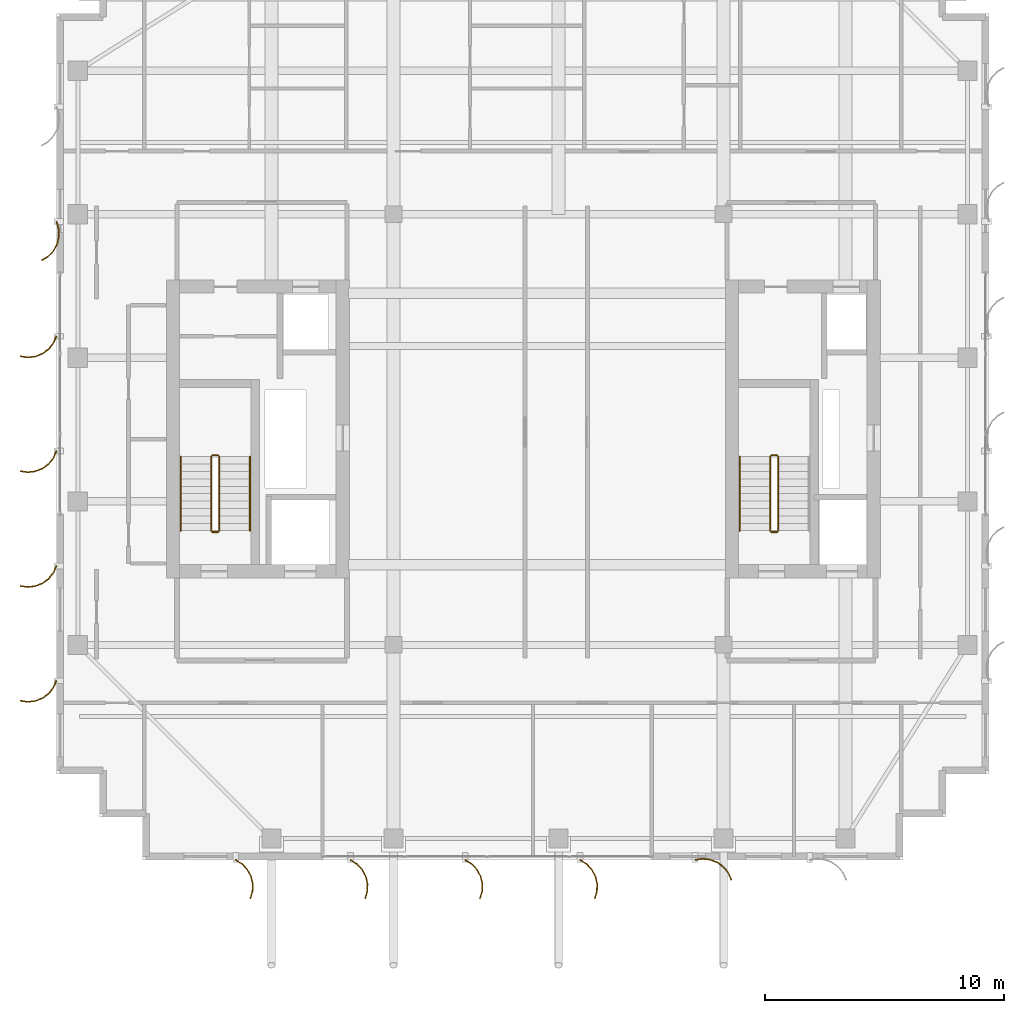
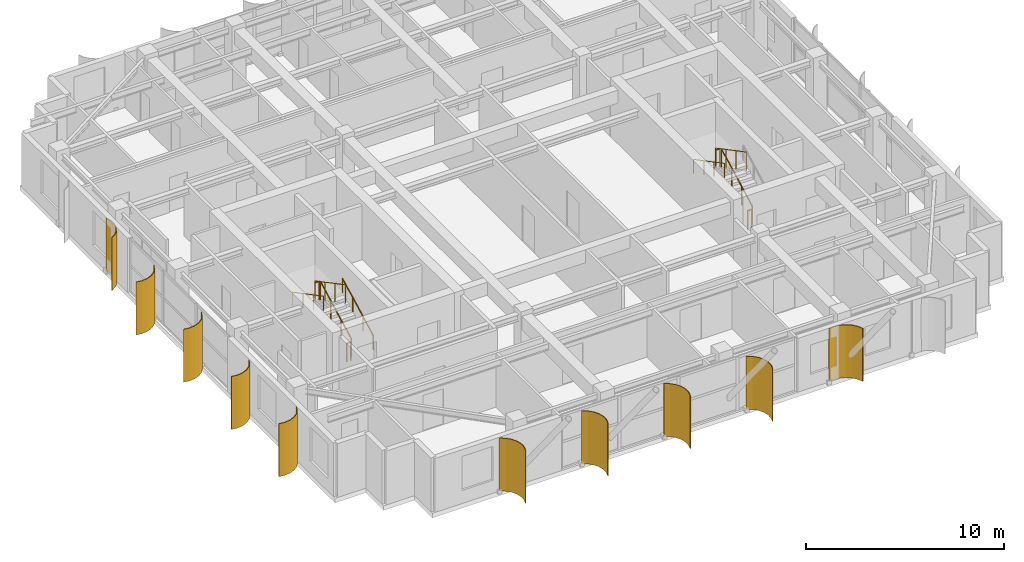
# One storey, part 21 of 22: 11 railings, 10 shading devices.
"""IFC4 building model written with IfcOpenShell, lengths in metres."""

from ifc_helpers import new_model, si_unit, direction, frame, origin, origin_2d, place, context, subcontext, project, spatial, polyline, circle, outline, extrude, source, transform, mapped, material, layer, layer_set, type_object, element, save


model = new_model("IFC4")

# Units and contexts
model_context = context("Model", 3, precision=1e-05, world=origin(), true_north=direction((0.0, 1.0)))
body_context = subcontext(model_context, "Body", "Model", "MODEL_VIEW")
ifc_project = project(units=[si_unit("LENGTHUNIT", "METRE"), si_unit("AREAUNIT", "SQUARE_METRE"), si_unit("VOLUMEUNIT", "CUBIC_METRE"), si_unit("PLANEANGLEUNIT", "RADIAN"), si_unit("MASSUNIT", "GRAM", prefix="KILO")], contexts=[model_context])

# Site, building, storey
site_placement = place(None, origin())
site = spatial("IfcSite", under=ifc_project, at=site_placement, CompositionType="ELEMENT")
building_placement = place(site_placement, origin())
building = spatial("IfcBuilding", under=site, at=building_placement, Name="Khoralis Quay Care Tower", CompositionType="ELEMENT")
storey_placement = place(building_placement, frame((0.0, 0.0, 278.10009765625)))
storey = spatial("IfcBuildingStorey", under=building, at=storey_placement, Name="L73", CompositionType="ELEMENT", Elevation=278.10009765625)

# Railings
ifc_material_1 = material(Name="Brushed stainless steel", Category="steel")
railing_type_1 = type_object("IfcRailingType", Name="RL-GUARD-1150", PredefinedType="GUARDRAIL", material=ifc_material_1)
railing_1_placement = place(storey_placement, frame((9.820068359375, 16.77001953125, 0.16357421875)))
element("IfcRailing", 1, at=railing_1_placement, inside=storey, type_object=railing_type_1, Name="L73 ST-T1 stair guard 1", PredefinedType="GUARDRAIL", context=body_context, shape_type="SweptSolid", body=[
    extrude(circle(Radius=0.02392578125, at=origin_2d()), frame((0.0, 0.0, 1.1259765625), z_axis=(0.0, 0.884376766648, 0.46677375099), x_axis=(-1.0, 0.0, 0.0)), (0.0, 0.0, 1.0), 3.50537109375),
    extrude(circle(Radius=0.02099609375, at=origin_2d()), origin(), (0.0, 0.0, 1.0), 1.101806640625),
    extrude(circle(Radius=0.02099609375, at=origin_2d()), frame((0.0, 1.033447265625, 0.54541015625)), (0.0, 0.0, 1.0), 1.101806640625),
    extrude(circle(Radius=0.02099609375, at=origin_2d()), frame((0.0, 2.066650390625, 1.0908203125)), (0.0, 0.0, 1.0), 1.101806640625),
    extrude(circle(Radius=0.02099609375, at=origin_2d()), frame((0.0, 3.10009765625, 1.63623046875)), (0.0, 0.0, 1.0), 1.101806640625),
])
railing_2_placement = place(storey_placement, frame((9.77001953125, 19.919921875, 1.7998046875)))
element("IfcRailing", 2, at=railing_2_placement, inside=storey, type_object=railing_type_1, Name="L73 ST-T1 stair guard 2", PredefinedType="GUARDRAIL", context=body_context, shape_type="SweptSolid", body=[
    extrude(circle(Radius=0.02392578125, at=origin_2d()), frame((0.0, 0.0, 1.1259765625), z_axis=(-1.0, 0.0, 0.0), x_axis=(0.0, -1.0, 0.0)), (0.0, 0.0, 1.0), 0.239990234375),
    extrude(circle(Radius=0.02099609375, at=origin_2d()), origin(), (0.0, 0.0, 1.0), 1.101806640625),
    extrude(circle(Radius=0.02099609375, at=origin_2d()), frame((-0.239990234375, 0.0, 0.0)), (0.0, 0.0, 1.0), 1.101806640625),
])
railing_3_placement = place(storey_placement, frame((9.47998046875, 19.8701171875, 1.963623046875)))
element("IfcRailing", 3, at=railing_3_placement, inside=storey, type_object=railing_type_1, Name="L73 ST-T1 stair guard 3", PredefinedType="GUARDRAIL", context=body_context, shape_type="SweptSolid", body=[
    extrude(circle(Radius=0.02392578125, at=origin_2d()), frame((0.0, 0.0, 1.1259765625), z_axis=(0.0, -0.884376766648, 0.46677375099), x_axis=(1.0, 0.0, 0.0)), (0.0, 0.0, 1.0), 3.50537109375),
    extrude(circle(Radius=0.02099609375, at=origin_2d()), origin(), (0.0, 0.0, 1.0), 1.101806640625),
    extrude(circle(Radius=0.02099609375, at=origin_2d()), frame((0.0, -1.033447265625, 0.54541015625)), (0.0, 0.0, 1.0), 1.101806640625),
    extrude(circle(Radius=0.02099609375, at=origin_2d()), frame((0.0, -2.066650390625, 1.0908203125)), (0.0, 0.0, 1.0), 1.101806640625),
    extrude(circle(Radius=0.02099609375, at=origin_2d()), frame((0.0, -3.10009765625, 1.63623046875)), (0.0, 0.0, 1.0), 1.101806640625),
])
railing_4_placement = place(storey_placement, frame((9.77001953125, 16.719970703125, 0.0)))
element("IfcRailing", 4, at=railing_4_placement, inside=storey, type_object=railing_type_1, Name="L73 ST-T1 stair guard 4", PredefinedType="GUARDRAIL", context=body_context, shape_type="SweptSolid", body=[
    extrude(circle(Radius=0.02392578125, at=origin_2d()), frame((0.0, 0.0, 1.1259765625), z_axis=(-1.0, 0.0, 0.0), x_axis=(0.0, -1.0, 0.0)), (0.0, 0.0, 1.0), 0.239990234375),
    extrude(circle(Radius=0.02099609375, at=origin_2d()), origin(), (0.0, 0.0, 1.0), 1.101806640625),
    extrude(circle(Radius=0.02099609375, at=origin_2d()), frame((-0.239990234375, 0.0, 0.0)), (0.0, 0.0, 1.0), 1.101806640625),
])
railing_5_placement = place(storey_placement, frame((33.18994140625, 16.77001953125, 0.16357421875)))
element("IfcRailing", 5, at=railing_5_placement, inside=storey, type_object=railing_type_1, Name="L73 ST-T2 stair guard 1", PredefinedType="GUARDRAIL", context=body_context, shape_type="SweptSolid", body=[
    extrude(circle(Radius=0.02392578125, at=origin_2d()), frame((0.0, 0.0, 1.1259765625), z_axis=(0.0, 0.884376766648, 0.46677375099), x_axis=(-1.0, 0.0, 0.0)), (0.0, 0.0, 1.0), 3.50537109375),
    extrude(circle(Radius=0.02099609375, at=origin_2d()), origin(), (0.0, 0.0, 1.0), 1.101806640625),
    extrude(circle(Radius=0.02099609375, at=origin_2d()), frame((0.0, 1.033447265625, 0.54541015625)), (0.0, 0.0, 1.0), 1.101806640625),
    extrude(circle(Radius=0.02099609375, at=origin_2d()), frame((0.0, 2.066650390625, 1.0908203125)), (0.0, 0.0, 1.0), 1.101806640625),
    extrude(circle(Radius=0.02099609375, at=origin_2d()), frame((0.0, 3.10009765625, 1.63623046875)), (0.0, 0.0, 1.0), 1.101806640625),
])
railing_6_placement = place(storey_placement, frame((33.139892578125, 19.919921875, 1.7998046875)))
element("IfcRailing", 6, at=railing_6_placement, inside=storey, type_object=railing_type_1, Name="L73 ST-T2 stair guard 2", PredefinedType="GUARDRAIL", context=body_context, shape_type="SweptSolid", body=[
    extrude(circle(Radius=0.02392578125, at=origin_2d()), frame((0.0, 0.0, 1.1259765625), z_axis=(-1.0, 0.0, 0.0), x_axis=(0.0, -1.0, 0.0)), (0.0, 0.0, 1.0), 0.239990234375),
    extrude(circle(Radius=0.02099609375, at=origin_2d()), origin(), (0.0, 0.0, 1.0), 1.101806640625),
    extrude(circle(Radius=0.02099609375, at=origin_2d()), frame((-0.239990234375, 0.0, 0.0)), (0.0, 0.0, 1.0), 1.101806640625),
])
railing_7_placement = place(storey_placement, frame((32.85009765625, 19.8701171875, 1.963623046875)))
element("IfcRailing", 7, at=railing_7_placement, inside=storey, type_object=railing_type_1, Name="L73 ST-T2 stair guard 3", PredefinedType="GUARDRAIL", context=body_context, shape_type="SweptSolid", body=[
    extrude(circle(Radius=0.02392578125, at=origin_2d()), frame((0.0, 0.0, 1.1259765625), z_axis=(0.0, -0.884376766648, 0.46677375099), x_axis=(1.0, 0.0, 0.0)), (0.0, 0.0, 1.0), 3.50537109375),
    extrude(circle(Radius=0.02099609375, at=origin_2d()), origin(), (0.0, 0.0, 1.0), 1.101806640625),
    extrude(circle(Radius=0.02099609375, at=origin_2d()), frame((0.0, -1.033447265625, 0.54541015625)), (0.0, 0.0, 1.0), 1.101806640625),
    extrude(circle(Radius=0.02099609375, at=origin_2d()), frame((0.0, -2.066650390625, 1.0908203125)), (0.0, 0.0, 1.0), 1.101806640625),
    extrude(circle(Radius=0.02099609375, at=origin_2d()), frame((0.0, -3.10009765625, 1.63623046875)), (0.0, 0.0, 1.0), 1.101806640625),
])
railing_8_placement = place(storey_placement, frame((33.139892578125, 16.719970703125, 0.0)))
element("IfcRailing", 8, at=railing_8_placement, inside=storey, type_object=railing_type_1, Name="L73 ST-T2 stair guard 4", PredefinedType="GUARDRAIL", context=body_context, shape_type="SweptSolid", body=[
    extrude(circle(Radius=0.02392578125, at=origin_2d()), frame((0.0, 0.0, 1.1259765625), z_axis=(-1.0, 0.0, 0.0), x_axis=(0.0, -1.0, 0.0)), (0.0, 0.0, 1.0), 0.239990234375),
    extrude(circle(Radius=0.02099609375, at=origin_2d()), origin(), (0.0, 0.0, 1.0), 1.101806640625),
    extrude(circle(Radius=0.02099609375, at=origin_2d()), frame((-0.239990234375, 0.0, 0.0)), (0.0, 0.0, 1.0), 1.101806640625),
])
railing_type_2 = type_object("IfcRailingType", Name="RL-HAND-900", PredefinedType="HANDRAIL", material=ifc_material_1)
railing_9_placement = place(storey_placement, frame((11.10009765625, 16.77001953125, 0.16357421875)))
element("IfcRailing", 9, at=railing_9_placement, inside=storey, type_object=railing_type_2, Name="L73 ST-T1 stair handrail 1", PredefinedType="HANDRAIL", context=body_context, shape_type="SweptSolid", body=[
    extrude(circle(Radius=0.02392578125, at=origin_2d()), frame((0.0, 0.0, 0.8759765625), z_axis=(0.0, 0.884376766648, 0.46677375099), x_axis=(-1.0, 0.0, 0.0)), (0.0, 0.0, 1.0), 3.50537109375),
    extrude(circle(Radius=0.02099609375, at=origin_2d()), origin(), (0.0, 0.0, 1.0), 0.851806640625),
    extrude(circle(Radius=0.02099609375, at=origin_2d()), frame((0.0, 1.033447265625, 0.54541015625)), (0.0, 0.0, 1.0), 0.851806640625),
    extrude(circle(Radius=0.02099609375, at=origin_2d()), frame((0.0, 2.066650390625, 1.0908203125)), (0.0, 0.0, 1.0), 0.851806640625),
    extrude(circle(Radius=0.02099609375, at=origin_2d()), frame((0.0, 3.10009765625, 1.63623046875)), (0.0, 0.0, 1.0), 0.851806640625),
])
for number, where, name in (
    (10, (8.199951171875, 19.8701171875, 1.963623046875), "L73 ST-T1 stair handrail 2"),
    (11, (31.570068359375, 19.8701171875, 1.963623046875), "L73 ST-T2 stair handrail 2"),
):
    element("IfcRailing", number, at=place(storey_placement, frame(where)), inside=storey, type_object=railing_type_2, Name=name, PredefinedType="HANDRAIL", context=body_context, shape_type="SweptSolid", body=[
        extrude(circle(Radius=0.02392578125, at=origin_2d()), frame((0.0, 0.0, 0.8759765625), z_axis=(0.0, -0.884376766648, 0.46677375099), x_axis=(1.0, 0.0, 0.0)), (0.0, 0.0, 1.0), 3.50537109375),
        extrude(circle(Radius=0.02099609375, at=origin_2d()), origin(), (0.0, 0.0, 1.0), 0.851806640625),
        extrude(circle(Radius=0.02099609375, at=origin_2d()), frame((0.0, -1.033447265625, 0.54541015625)), (0.0, 0.0, 1.0), 0.851806640625),
        extrude(circle(Radius=0.02099609375, at=origin_2d()), frame((0.0, -2.066650390625, 1.0908203125)), (0.0, 0.0, 1.0), 0.851806640625),
        extrude(circle(Radius=0.02099609375, at=origin_2d()), frame((0.0, -3.10009765625, 1.63623046875)), (0.0, 0.0, 1.0), 0.851806640625),
    ])

# Shading devices
ifc_material_2 = material(Name="Brushed pale anodised aluminium", Category="aluminium")
ifc_layer = layer(ifc_material_2, 0.044921875)
ifc_layer_set = layer_set([ifc_layer], Name="Brushed pale anodised aluminium")
shading_device_type = type_object("IfcShadingDeviceType", Name="SHD-FIN-1250", PredefinedType="USERDEFINED", material=ifc_layer_set)
shared_shape_1 = source(origin(), body_context, "Body", "SweptSolid", [
    extrude(outline(polyline([(0.0, 0.0), (0.130126953125, 0.29931640625), (0.333251953125, 0.5546875), (0.595458984375, 0.748779296875), (0.899169921875, 0.868408203125), (1.223388671875, 0.9052734375), (1.546142578125, 0.85693359375), (1.53369140625, 0.813720703125), (1.22265625, 0.8603515625), (0.91015625, 0.82470703125), (0.617431640625, 0.70947265625), (0.364501953125, 0.522216796875), (0.168701171875, 0.276123046875), (0.043212890625, -0.012451171875), (0.0, 0.0)])), origin(), (0.0, 0.0, 1.0), 3.259765625),
])
for number, where, z_axis, x_axis, name in (
    (12, (3.030029296875, 24.89990234375, 0.02001953125), (0.0, 0.0, 1.0), (-1.0, 0.0, 0.0), "L73 Curved Solar Fin P1E15-03"),
    (13, (3.030029296875, 20.10009765625, 0.02001953125), (0.0, 0.0, 1.0), (-1.0, 0.0, 0.0), "L73 Curved Solar Fin P1E15-04"),
    (14, (3.030029296875, 15.300048828125, 0.02001953125), (0.0, 0.0, 1.0), (-1.0, 0.0, 0.0), "L73 Curved Solar Fin P1E15-05"),
    (15, (3.030029296875, 10.5, 0.02001953125), (0.0, 0.0, 1.0), (-1.0, 0.0, 0.0), "L73 Curved Solar Fin P1E15-06"),
):
    element("IfcShadingDevice", number, at=place(storey_placement, frame(where, z_axis=z_axis, x_axis=x_axis)), inside=storey, type_object=shading_device_type, Name=name, ObjectType="FIN", PredefinedType="USERDEFINED", context=body_context, shape_type="MappedRepresentation", body=[
        mapped(shared_shape_1, transform((0.0, 0.0, 0.0), scale=1.0)),
    ])
shared_shape_2 = source(origin(), body_context, "Body", "SweptSolid", [
    extrude(outline(polyline([(0.0, 0.0), (0.17041015625, 0.2783203125), (0.4072265625, 0.5029296875), (0.694091796875, 0.658447265625), (1.01123046875, 0.734619140625), (1.33740234375, 0.72607421875), (1.650390625, 0.633544921875), (1.632080078125, 0.59228515625), (1.330322265625, 0.681640625), (1.015869140625, 0.68994140625), (0.710205078125, 0.616455078125), (0.43359375, 0.466552734375), (0.20556640625, 0.25), (0.041015625, -0.018310546875), (0.0, 0.0)])), origin(), (0.0, 0.0, 1.0), 3.259765625),
])
for number, where, z_axis, x_axis, name in (
    (16, (10.5, 3.030029296875, 0.02001953125), (0.0, 0.0, 1.0), (0.0, -1.0, 0.0), "L73 Curved Solar Fin P1E0-01"),
    (17, (15.300048828125, 3.030029296875, 0.02001953125), (0.0, 0.0, 1.0), (0.0, -1.0, 0.0), "L73 Curved Solar Fin P1E0-02"),
    (18, (20.10009765625, 3.030029296875, 0.02001953125), (0.0, 0.0, 1.0), (0.0, -1.0, 0.0), "L73 Curved Solar Fin P1E0-03"),
    (19, (24.89990234375, 3.030029296875, 0.02001953125), (0.0, 0.0, 1.0), (0.0, -1.0, 0.0), "L73 Curved Solar Fin P1E0-04"),
):
    element("IfcShadingDevice", number, at=place(storey_placement, frame(where, z_axis=z_axis, x_axis=x_axis)), inside=storey, type_object=shading_device_type, Name=name, ObjectType="FIN", PredefinedType="USERDEFINED", context=body_context, shape_type="MappedRepresentation", body=[
        mapped(shared_shape_2, transform((0.0, 0.0, 0.0), scale=1.0)),
    ])
shared_shape_3 = source(origin(), body_context, "Body", "SweptSolid", [
    extrude(outline(polyline([(0.0, 0.0), (-0.04833984375, 0.32275390625), (-0.01123046875, 0.64697265625), (0.1083984375, 0.950439453125), (0.302490234375, 1.212890625), (0.557861328125, 1.416015625), (0.85693359375, 1.546142578125), (0.869384765625, 1.5029296875), (0.5810546875, 1.37744140625), (0.334716796875, 1.181640625), (0.147705078125, 0.9287109375), (0.032470703125, 0.635986328125), (-0.003173828125, 0.323486328125), (0.043212890625, 0.012451171875), (0.0, 0.0)])), origin(), (0.0, 0.0, 1.0), 3.259765625),
])
shading_device_1_placement = place(storey_placement, frame((29.699951171875, 3.030029296875, 0.02001953125), z_axis=(0.0, 0.0, 1.0), x_axis=(0.0, -1.0, 0.0)))
element("IfcShadingDevice", 20, at=shading_device_1_placement, inside=storey, type_object=shading_device_type, Name="L73 Curved Solar Fin P1E0-05", ObjectType="FIN", PredefinedType="USERDEFINED", context=body_context, shape_type="MappedRepresentation", body=[
    mapped(shared_shape_3, transform((0.0, 0.0, 0.0), scale=1.0)),
])
shared_shape_4 = source(origin(), body_context, "Body", "SweptSolid", [
    extrude(outline(polyline([(0.0, 0.0), (-0.0927734375, 0.31298828125), (-0.101318359375, 0.63916015625), (-0.025146484375, 0.956298828125), (0.130615234375, 1.2431640625), (0.355224609375, 1.479736328125), (0.633544921875, 1.650390625), (0.65185546875, 1.609130859375), (0.383544921875, 1.44482421875), (0.1669921875, 1.216796875), (0.01708984375, 0.940185546875), (-0.056396484375, 0.63427734375), (-0.04833984375, 0.31982421875), (0.041015625, 0.018310546875), (0.0, 0.0)])), origin(), (0.0, 0.0, 1.0), 3.259765625),
])
shading_device_2_placement = place(storey_placement, frame((3.030029296875, 29.699951171875, 0.02001953125), z_axis=(0.0, 0.0, 1.0), x_axis=(-1.0, 0.0, 0.0)))
element("IfcShadingDevice", 21, at=shading_device_2_placement, inside=storey, type_object=shading_device_type, Name="L73 Curved Solar Fin P1E15-02", ObjectType="FIN", PredefinedType="USERDEFINED", context=body_context, shape_type="MappedRepresentation", body=[
    mapped(shared_shape_4, transform((0.0, 0.0, 0.0), scale=1.0)),
])

save(model, "model.ifc")
